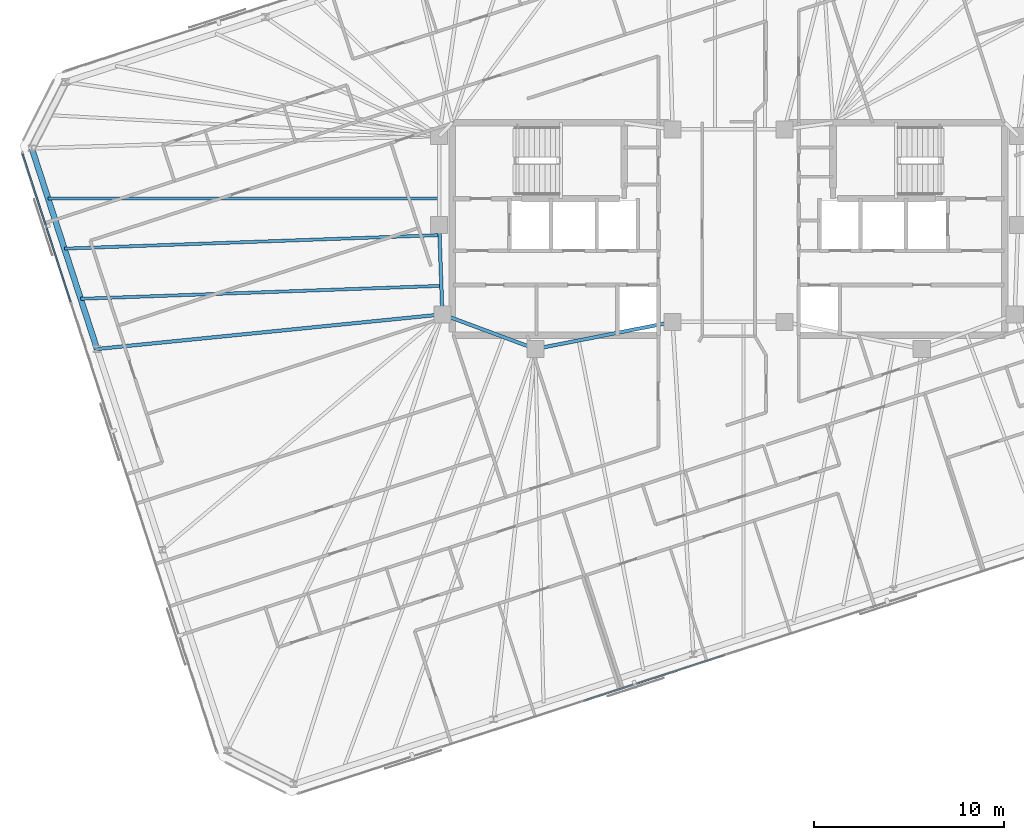
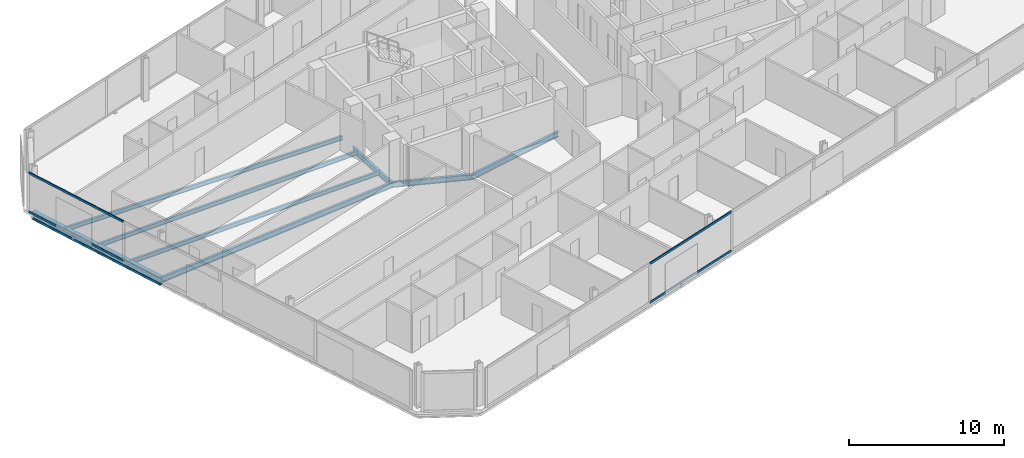
# One storey, part 6 of 20: 8 beams, 4 members, 2 elements without a shape of their own.
"""IFC4 building model written with IfcOpenShell, lengths in metres."""

from ifc_helpers import new_model, si_unit, direction, frame, origin, origin_2d, place, context, subcontext, project, spatial, rectangle, i_section, extrude, material, material_profile, profile_set, type_object, element, aggregate, save


model = new_model("IFC4")

# Units and contexts
model_context = context("Model", 3, precision=1e-05, world=origin(), true_north=direction((0.0, 1.0)))
body_context = subcontext(model_context, "Body", "Model", "MODEL_VIEW")
ifc_project = project(units=[si_unit("LENGTHUNIT", "METRE"), si_unit("AREAUNIT", "SQUARE_METRE"), si_unit("VOLUMEUNIT", "CUBIC_METRE"), si_unit("PLANEANGLEUNIT", "RADIAN"), si_unit("MASSUNIT", "GRAM", prefix="KILO")], contexts=[model_context])

# Site, building, storey
site_placement = place(None, origin())
site = spatial("IfcSite", under=ifc_project, at=site_placement, CompositionType="ELEMENT")
building_placement = place(site_placement, origin())
building = spatial("IfcBuilding", under=site, at=building_placement, Name="Menara Jurai Vektor", CompositionType="ELEMENT")
storey_placement = place(building_placement, frame((0.0, 0.0, 247.75)))
storey = spatial("IfcBuildingStorey", under=building, at=storey_placement, Name="L66", CompositionType="ELEMENT", Elevation=247.75)

# Curtain wall, members
ifc_material_1 = material(Name="Anodised Pale Aluminium & Low-E Double Glazing", Category="aluminium")
curtain_wall_type = type_object("IfcCurtainWallType", Name="CW-BLK4", PredefinedType="NOTDEFINED", material=ifc_material_1)
curtain_wall_1_placement = place(storey_placement, origin())
curtain_wall_1 = element("IfcCurtainWall", 1, at=curtain_wall_1_placement, inside=storey, type_object=curtain_wall_type, Name="Unitised Curtain Wall L66 F01", PredefinedType="NOTDEFINED")
ifc_material_2 = material(Name="Anodised Pale Aluminium Transom", Category="aluminium")
ifc_material_profile_1 = material_profile(ifc_material_2, rectangle(XDim=0.080078125, YDim=0.1650390625, at=origin_2d()), Name="ALU TRN 80x165")
ifc_profile_set_1 = profile_set([ifc_material_profile_1], Name="Anodised Pale Aluminium Transom")
member_type = type_object("IfcMemberType", Name="CW-BLK4-TRN", PredefinedType="USERDEFINED", material=ifc_profile_set_1)
member_1_placement = place(storey_placement, frame((-7.639404296875, -24.86669921875, 0.0400390625), z_axis=(0.951059330237, 0.309008333817, 0.0), x_axis=(-0.309008333817, 0.951059330237, 0.0)))
member_1 = element("IfcMember", 2, at=member_1_placement, type_object=member_type, Name="CW-04 transom 3.1", ObjectType="TRANSOM", PredefinedType="USERDEFINED", context=body_context, shape_type="SweptSolid", body=[
    extrude(rectangle(XDim=0.080078125, YDim=0.1650390625, at=origin_2d()), origin(), (0.0, 0.0, 1.0), 7.8115234375),
])
member_2_placement = place(storey_placement, frame((-7.639404296875, -24.86669921875, 3.0849609375), z_axis=(0.951059330237, 0.309008333817, 0.0), x_axis=(-0.309008333817, 0.951059330237, 0.0)))
member_2 = element("IfcMember", 3, at=member_2_placement, type_object=member_type, Name="CW-04 transom 3.2", ObjectType="TRANSOM", PredefinedType="USERDEFINED", context=body_context, shape_type="SweptSolid", body=[
    extrude(rectangle(XDim=0.080078125, YDim=0.1650390625, at=origin_2d()), origin(), (0.0, 0.0, 1.0), 7.8115234375),
])
aggregate(curtain_wall_1, [member_1, member_2])

curtain_wall_2_placement = place(storey_placement, origin())
curtain_wall_2 = element("IfcCurtainWall", 4, at=curtain_wall_2_placement, inside=storey, type_object=curtain_wall_type, Name="Unitised Curtain Wall L66 F07", PredefinedType="NOTDEFINED")
member_3_placement = place(storey_placement, frame((-37.19384765625, 3.950927734375, 0.0400390625), z_axis=(0.309010577384, -0.951058601278, 0.0), x_axis=(0.951058601278, 0.309010577384, 0.0)))
member_3 = element("IfcMember", 5, at=member_3_placement, type_object=member_type, Name="CW-04 transom 1.1", ObjectType="TRANSOM", PredefinedType="USERDEFINED", context=body_context, shape_type="SweptSolid", body=[
    extrude(rectangle(XDim=0.080078125, YDim=0.1650390625, at=origin_2d()), origin(), (0.0, 0.0, 1.0), 8.18994140625),
])
member_4_placement = place(storey_placement, frame((-37.19384765625, 3.950927734375, 3.0849609375), z_axis=(0.309010577384, -0.951058601278, 0.0), x_axis=(0.951058601278, 0.309010577384, 0.0)))
member_4 = element("IfcMember", 6, at=member_4_placement, type_object=member_type, Name="CW-04 transom 1.2", ObjectType="TRANSOM", PredefinedType="USERDEFINED", context=body_context, shape_type="SweptSolid", body=[
    extrude(rectangle(XDim=0.080078125, YDim=0.1650390625, at=origin_2d()), origin(), (0.0, 0.0, 1.0), 8.18994140625),
])
aggregate(curtain_wall_2, [member_3, member_4])

# Beams
ifc_material_3 = material(Name="Steel S355", Category="steel")
ifc_material_profile_2 = material_profile(ifc_material_3, i_section(OverallWidth=0.18505859375, OverallDepth=0.429931640625, WebThickness=0.010986328125, FlangeThickness=0.01806640625, at=origin_2d()), Name="PG 430x185x76")
ifc_profile_set_2 = profile_set([ifc_material_profile_2], Name="Steel S355")
beam_type_1 = type_object("IfcBeamType", Name="STR-BM-430", PredefinedType="BEAM", material=ifc_profile_set_2)
beam_1_placement = place(storey_placement, frame((-15.080078125, -4.5, -0.43994140625), z_axis=(-0.035977314146, 0.999352606874, 0.0), x_axis=(-0.999352606874, -0.035977314146, 0.0)))
element("IfcBeam", 7, at=beam_1_placement, inside=storey, type_object=beam_type_1, Name="Core Ring Header Girder L66-CHW-W2", PredefinedType="BEAM", context=body_context, shape_type="SweptSolid", body=[
    extrude(i_section(OverallWidth=0.18505859375, OverallDepth=0.429931640625, WebThickness=0.010986328125, FlangeThickness=0.01806640625, at=origin_2d()), origin(), (0.0, 0.0, 1.0), 4.72314453125),
])
beam_2_placement = place(storey_placement, frame((-15.080078125, -4.5, -0.43994140625), z_axis=(0.937424400887, -0.348188874925, 0.0), x_axis=(0.348188874925, 0.937424400887, 0.0)))
element("IfcBeam", 8, at=beam_2_placement, inside=storey, type_object=beam_type_1, Name="Core Ring Header Girder L66-CHW-S1", PredefinedType="BEAM", context=body_context, shape_type="SweptSolid", body=[
    extrude(i_section(OverallWidth=0.18505859375, OverallDepth=0.429931640625, WebThickness=0.010986328125, FlangeThickness=0.01806640625, at=origin_2d()), origin(), (0.0, 0.0, 1.0), 5.227294921875),
])
beam_3_placement = place(storey_placement, frame((-10.179931640625, -6.320068359375, -0.43994140625), z_axis=(0.981249044334, 0.192744164614, 0.0), x_axis=(-0.192744164614, 0.981249044334, 0.0)))
element("IfcBeam", 9, at=beam_3_placement, inside=storey, type_object=beam_type_1, Name="Core Ring Header Girder L66-CHW-S2", PredefinedType="BEAM", context=body_context, shape_type="SweptSolid", body=[
    extrude(i_section(OverallWidth=0.18505859375, OverallDepth=0.429931640625, WebThickness=0.010986328125, FlangeThickness=0.01806640625, at=origin_2d()), origin(), (0.0, 0.0, 1.0), 7.3681640625),
])
beam_4_placement = place(storey_placement, frame((-33.277587890625, -6.322509765625, -0.43994140625), z_axis=(0.995022243563, 0.099653072276, 0.0), x_axis=(-0.099653072276, 0.995022243563, 0.0)))
element("IfcBeam", 10, at=beam_4_placement, inside=storey, type_object=beam_type_1, Name="Radial Floor Girder L66-W2", PredefinedType="BEAM", context=body_context, shape_type="SweptSolid", body=[
    extrude(i_section(OverallWidth=0.18505859375, OverallDepth=0.429931640625, WebThickness=0.010986328125, FlangeThickness=0.01806640625, at=origin_2d()), origin(), (0.0, 0.0, 1.0), 18.28857421875),
])
ifc_material_profile_3 = material_profile(ifc_material_3, i_section(OverallWidth=0.1650390625, OverallDepth=0.330078125, WebThickness=0.009033203125, FlangeThickness=0.013916015625, at=origin_2d()), Name="PG 330x165x46")
ifc_profile_set_3 = profile_set([ifc_material_profile_3], Name="Steel S355")
beam_type_2 = type_object("IfcBeamType", Name="STR-JS-330", PredefinedType="JOIST", material=ifc_profile_set_3)
beam_5_placement = place(storey_placement, frame((-35.8544921875, 1.6083984375, -0.389892578125), z_axis=(1.0, 0.0, 0.0), x_axis=(0.0, 1.0, 0.0)))
element("IfcBeam", 11, at=beam_5_placement, inside=storey, type_object=beam_type_2, Name="Radial Secondary Floor Joist L66-JS28", PredefinedType="JOIST", context=body_context, shape_type="SweptSolid", body=[
    extrude(i_section(OverallWidth=0.1650390625, OverallDepth=0.330078125, WebThickness=0.009033203125, FlangeThickness=0.013916015625, at=origin_2d()), origin(), (0.0, 0.0, 1.0), 20.6044921875),
])
beam_6_placement = place(storey_placement, frame((-34.99560546875, -1.03515625, -0.389892578125), z_axis=(0.999351957959, 0.035995334734, 0.0), x_axis=(-0.035995334734, 0.999351957959, 0.0)))
element("IfcBeam", 12, at=beam_6_placement, inside=storey, type_object=beam_type_2, Name="Radial Secondary Floor Joist L66-JS29", PredefinedType="JOIST", context=body_context, shape_type="SweptSolid", body=[
    extrude(i_section(OverallWidth=0.1650390625, OverallDepth=0.330078125, WebThickness=0.009033203125, FlangeThickness=0.013916015625, at=origin_2d()), origin(), (0.0, 0.0, 1.0), 19.77783203125),
])
beam_7_placement = place(storey_placement, frame((-34.136474609375, -3.6787109375, -0.389892578125), z_axis=(0.999352161922, 0.035989671603, 0.0), x_axis=(-0.035989671603, 0.999352161922, 0.0)))
element("IfcBeam", 13, at=beam_7_placement, inside=storey, type_object=beam_type_2, Name="Radial Secondary Floor Joist L66-JS30", PredefinedType="JOIST", context=body_context, shape_type="SweptSolid", body=[
    extrude(i_section(OverallWidth=0.1650390625, OverallDepth=0.330078125, WebThickness=0.009033203125, FlangeThickness=0.013916015625, at=origin_2d()), origin(), (0.0, 0.0, 1.0), 19.014404296875),
])
ifc_material_profile_4 = material_profile(ifc_material_3, i_section(OverallWidth=0.306884765625, OverallDepth=0.6201171875, WebThickness=0.013916015625, FlangeThickness=0.02392578125, FilletRadius=0.01708984375, at=origin_2d()), Name="UKB 610x305x179")
ifc_profile_set_4 = profile_set([ifc_material_profile_4], Name="Steel S355")
beam_type_3 = type_object("IfcBeamType", Name="STR-SP-610", PredefinedType="SPANDREL", material=ifc_profile_set_4)
beam_8_placement = place(storey_placement, frame((-36.71337890625, 4.251953125, -0.534912109375), z_axis=(0.309012092614, -0.95105810896, 0.0), x_axis=(0.95105810896, 0.309012092614, 0.0)))
element("IfcBeam", 14, at=beam_8_placement, inside=storey, type_object=beam_type_3, Name="Exoskeleton Spandrel Beam L66-17", PredefinedType="SPANDREL", context=body_context, shape_type="SweptSolid", body=[
    extrude(i_section(OverallWidth=0.306884765625, OverallDepth=0.6201171875, WebThickness=0.013916015625, FlangeThickness=0.02392578125, FilletRadius=0.01708984375, at=origin_2d()), origin(), (0.0, 0.0, 1.0), 11.11865234375),
])

save(model, "model.ifc")
